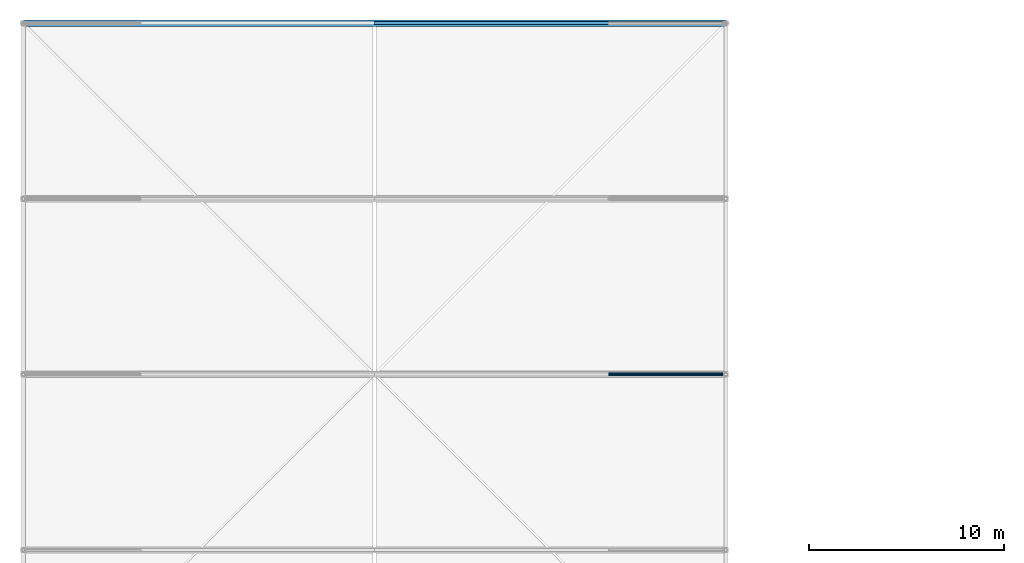
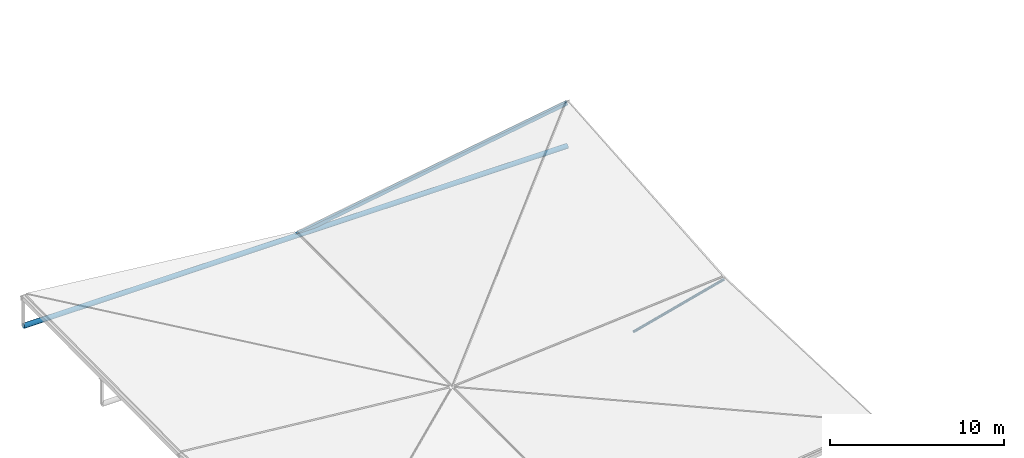
# One storey, part 32 of 44: 3 members.
"""IFC4 building model written with IfcOpenShell, lengths in metres."""

from ifc_helpers import new_model, si_unit, direction, frame, origin, origin_2d, place, context, subcontext, project, spatial, hollow_rectangle, hollow_circle, extrude, material, material_profile, profile_set, type_object, element, save


model = new_model("IFC4")

# Units and contexts
model_context = context("Model", 3, precision=1e-05, world=origin(), true_north=direction((0.0, 1.0)))
body_context = subcontext(model_context, "Body", "Model", "MODEL_VIEW")
ifc_project = project(units=[si_unit("LENGTHUNIT", "METRE"), si_unit("AREAUNIT", "SQUARE_METRE"), si_unit("VOLUMEUNIT", "CUBIC_METRE"), si_unit("PLANEANGLEUNIT", "RADIAN"), si_unit("MASSUNIT", "GRAM", prefix="KILO")], contexts=[model_context])

# Site, building, storey
site_placement = place(None, origin())
site = spatial("IfcSite", under=ifc_project, at=site_placement, CompositionType="ELEMENT")
building_placement = place(site_placement, origin())
building = spatial("IfcBuilding", under=site, at=building_placement, Name="Deido Ridge Mobility Hub", CompositionType="ELEMENT")
storey_placement = place(building_placement, frame((0.0, 0.0, 25.199951171875)))
storey = spatial("IfcBuildingStorey", under=building, at=storey_placement, Name="L06", CompositionType="ELEMENT", Elevation=25.199951171875)

# Members
ifc_material = material(Name="Steel S355J2H EN 10210-1", Category="steel")
ifc_material_profile_1 = material_profile(ifc_material, hollow_circle(Radius=0.161865234375, WallThickness=0.012451171875, at=origin_2d()), Name="CHS 323.9x12.5")
ifc_profile_set_1 = profile_set([ifc_material_profile_1], Name="Steel S355J2H EN 10210-1")
member_type_1 = type_object("IfcMemberType", Name="MEM-CHD-CHS324", PredefinedType="CHORD", material=ifc_profile_set_1)
member_1_placement = place(storey_placement, frame((63.0, 81.0, 0.0), z_axis=(1.0, 0.0, 0.0), x_axis=(0.0, 1.0, 0.0)))
element("IfcMember", 1, at=member_1_placement, inside=storey, type_object=member_type_1, Name="Sports origami tie chord CH2", PredefinedType="CHORD", context=body_context, shape_type="SweptSolid", body=[
    extrude(hollow_circle(Radius=0.161865234375, WallThickness=0.012451171875, at=origin_2d()), origin(), (0.0, 0.0, 1.0), 36.0),
])
ifc_material_profile_2 = material_profile(ifc_material, hollow_rectangle(XDim=0.14990234375, YDim=0.25, WallThickness=0.010009765625, at=origin_2d()), Name="RHS 250x150x10")
ifc_profile_set_2 = profile_set([ifc_material_profile_2], Name="Steel S355J2H EN 10210-1")
member_type_2 = type_object("IfcMemberType", Name="MEM-RAF-RHS250", PredefinedType="RAFTER", material=ifc_profile_set_2)
member_2_placement = place(storey_placement, frame((81.0, 81.0, 0.050048828125), z_axis=(0.986659548816, 0.0, 0.162797219663), x_axis=(0.0, 1.0, 0.0)))
element("IfcMember", 2, at=member_2_placement, inside=storey, type_object=member_type_2, Name="Sports origami rafter RF1", PredefinedType="RAFTER", context=body_context, shape_type="SweptSolid", body=[
    extrude(hollow_rectangle(XDim=0.14990234375, YDim=0.25, WallThickness=0.010009765625, at=origin_2d()), origin(), (0.0, 0.0, 1.0), 18.243408203125),
])
ifc_material_profile_3 = material_profile(ifc_material, hollow_circle(Radius=0.084228515625, WallThickness=0.008056640625, at=origin_2d()), Name="CHS 168.3x8")
ifc_profile_set_3 = profile_set([ifc_material_profile_3], Name="Steel S355J2H EN 10210-1")
member_type_3 = type_object("IfcMemberType", Name="MEM-STR-CHS168", PredefinedType="STRUT", material=ifc_profile_set_3)
member_3_placement = place(storey_placement, frame((93.0, 63.0, 0.0), z_axis=(0.967029668987, 0.0, 0.254663737699), x_axis=(0.0, 1.0, 0.0)))
element("IfcMember", 3, at=member_3_placement, inside=storey, type_object=member_type_3, Name="Origami diagonal web SR1", PredefinedType="STRUT", context=body_context, shape_type="SweptSolid", body=[
    extrude(hollow_circle(Radius=0.084228515625, WallThickness=0.008056640625, at=origin_2d()), origin(), (0.0, 0.0, 1.0), 6.20458984375),
])

save(model, "model.ifc")
